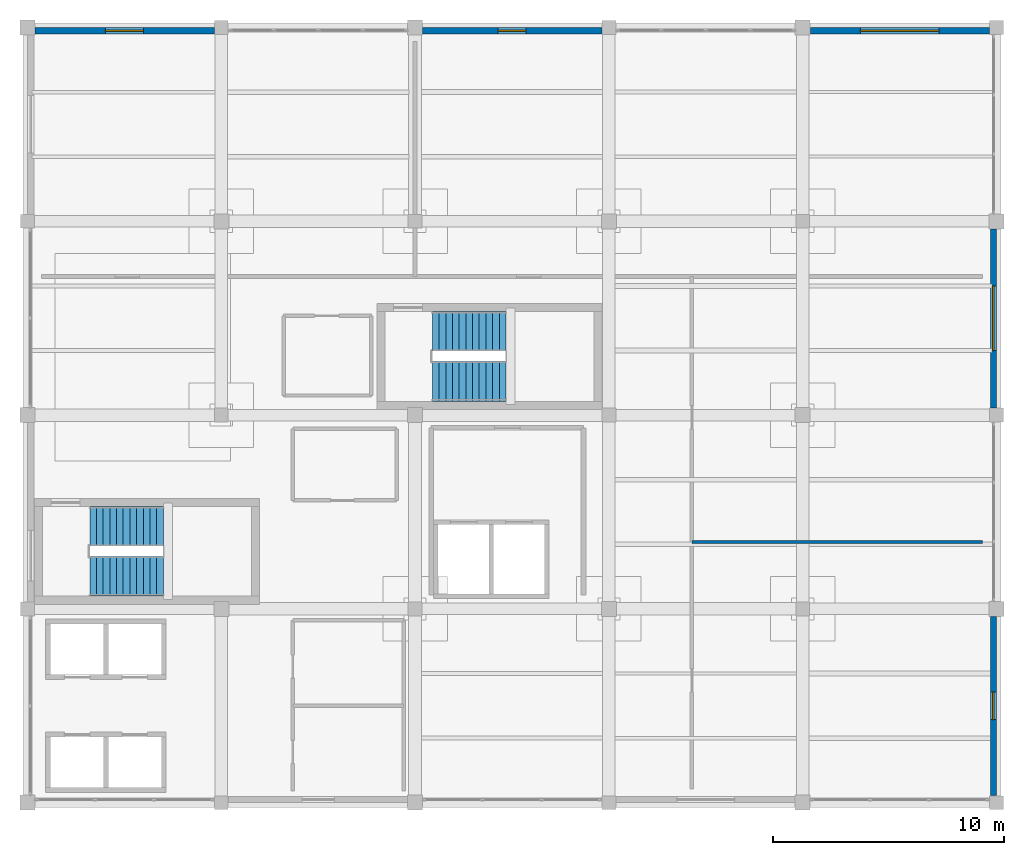
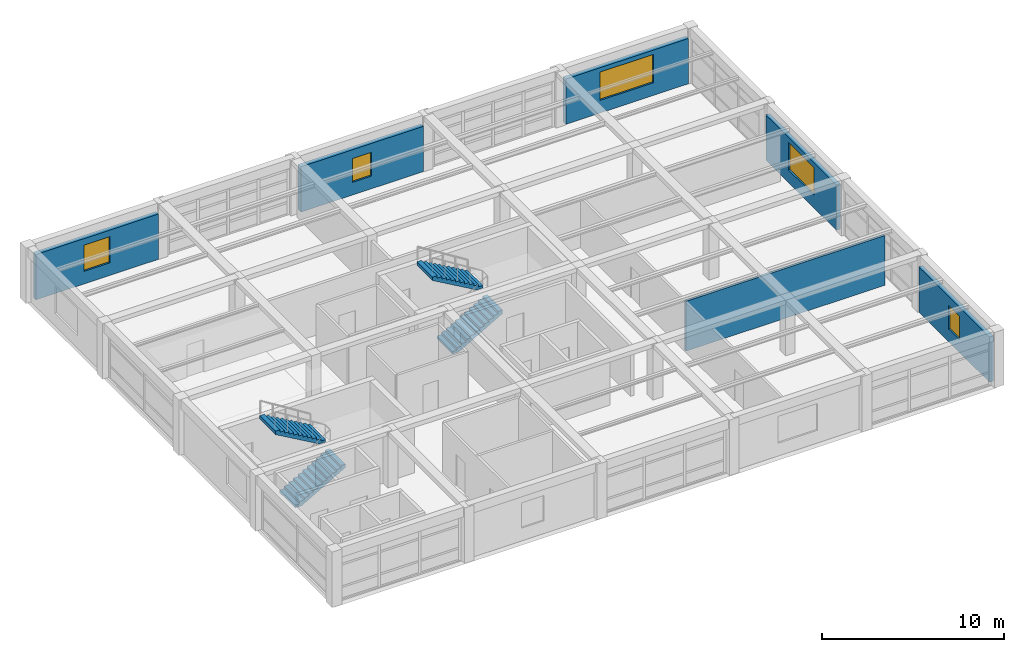
# One storey, part 24 of 25: 6 walls, 5 windows, 4 stair flights, 5 openings, 2 elements without a shape of their own.
"""IFC4 building model written with IfcOpenShell, lengths in metres."""

from ifc_helpers import new_model, si_unit, direction, frame, frame_2d, origin, place, context, subcontext, project, spatial, polyline, rectangle, outline, extrude, material, layer, layer_set, type_object, element, fill, aggregate, save


model = new_model("IFC4")

# Units and contexts
model_context = context("Model", 3, precision=1e-05, world=origin(), true_north=direction((0.0, 1.0)))
body_context = subcontext(model_context, "Body", "Model", "MODEL_VIEW")
ifc_project = project(units=[si_unit("LENGTHUNIT", "METRE"), si_unit("AREAUNIT", "SQUARE_METRE"), si_unit("VOLUMEUNIT", "CUBIC_METRE"), si_unit("PLANEANGLEUNIT", "RADIAN"), si_unit("MASSUNIT", "GRAM", prefix="KILO")], contexts=[model_context])

# Site, building, storey
site_placement = place(None, origin())
site = spatial("IfcSite", under=ifc_project, at=site_placement, CompositionType="ELEMENT")
building_placement = place(site_placement, origin())
building = spatial("IfcBuilding", under=site, at=building_placement, Name="Almacenes y Pasaje Nevantli", CompositionType="ELEMENT")
storey_placement = place(building_placement, frame((0.0, 0.0, 50.699951171875)))
storey = spatial("IfcBuildingStorey", under=building, at=storey_placement, Name="L12", CompositionType="ELEMENT", Elevation=50.699951171875)

# Wall, opening, window
ifc_material_1 = material(Name="Architectural Precast Concrete C35/45 Spandrel Wall", Category="concrete")
ifc_layer_1 = layer(ifc_material_1, 0.280029296875)
ifc_layer_set_1 = layer_set([ifc_layer_1], Name="Architectural Precast Concrete C35/45 Spandrel Wall")
wall_type_1 = type_object("IfcWallType", Name="WL-EXT-CANTERA-280", PredefinedType="SOLIDWALL", material=ifc_layer_set_1)
wall_1_placement = place(storey_placement, frame((117.927978515625, 100.659912109375, 0.0), z_axis=(0.0, 0.0, 1.0), x_axis=(1.0, 0.0, 0.0)))
wall_1 = element("IfcWall", 1, at=wall_1_placement, inside=storey, type_object=wall_type_1, Name="L12 Tower North Polychrome Cantera Wall Bay 15", PredefinedType="SOLIDWALL", context=body_context, shape_type="SweptSolid", body=[
    extrude(rectangle(XDim=7.76806640625, YDim=0.280029296875, at=frame_2d((3.884033203125, 0.0))), origin(), (0.0, 0.0, 1.0), 3.0400390625),
])
opening_1_placement = place(wall_1_placement, frame((3.047119140625, 0.0, 0.85009765625)))
opening_1 = element("IfcOpeningElement", 2, at=opening_1_placement, cuts=wall_1, Name="Opening WT-33-250", PredefinedType="OPENING", context=body_context, shape_type="SweptSolid", body=[
    extrude(rectangle(XDim=1.64990234375, YDim=1.75, at=frame_2d((0.824951171875, 0.875))), frame((0.0, 0.14990234375, 0.0), z_axis=(0.0, -1.0, 0.0), x_axis=(1.0, 0.0, 0.0)), (0.0, 0.0, 1.0), 0.300048828125),
])
ifc_material_2 = material(Name="Thermally Broken Aluminium and Low-E Double Glazing", Category="aluminium")
window_type_1 = type_object("IfcWindowType", Name="WN-TWR-1650x1750", PartitioningType="SINGLE_PANEL", PredefinedType="WINDOW", material=ifc_material_2)
window_1_placement = place(opening_1_placement, origin())
window_1 = element("IfcWindow", 3, at=window_1_placement, inside=storey, type_object=window_type_1, Name="L12 Exterior Window WT-33 #250", OverallHeight=1.75, OverallWidth=1.64990234375, PartitioningType="SINGLE_PANEL", PredefinedType="WINDOW", context=body_context, shape_type="SweptSolid", body=[
    extrude(rectangle(XDim=1.64990234375, YDim=1.75, at=frame_2d((0.824951171875, 0.875))), frame((0.0, 0.030029296875, 0.0), z_axis=(0.0, -1.0, 0.0), x_axis=(1.0, 0.0, 0.0)), (0.0, 0.0, 1.0), 0.06005859375),
])
fill(opening_1, window_1)

wall_2_placement = place(storey_placement, frame((134.72802734375, 100.659912109375, 0.0), z_axis=(0.0, 0.0, 1.0), x_axis=(1.0, 0.0, 0.0)))
wall_2 = element("IfcWall", 4, at=wall_2_placement, inside=storey, type_object=wall_type_1, Name="L12 Tower North Polychrome Cantera Wall Bay 17", PredefinedType="SOLIDWALL", context=body_context, shape_type="SweptSolid", body=[
    extrude(rectangle(XDim=7.77001953125, YDim=0.280029296875, at=frame_2d((3.885009765625, 0.0))), origin(), (0.0, 0.0, 1.0), 3.0400390625),
])
opening_2_placement = place(wall_2_placement, frame((3.27197265625, 0.0, 0.85009765625)))
opening_2 = element("IfcOpeningElement", 5, at=opening_2_placement, cuts=wall_2, Name="Opening WT-35-252", PredefinedType="OPENING", context=body_context, shape_type="SweptSolid", body=[
    extrude(rectangle(XDim=1.199951171875, YDim=1.60009765625, at=frame_2d((0.60009765625, 0.800048828125))), frame((0.0, 0.14990234375, 0.0), z_axis=(0.0, -1.0, 0.0), x_axis=(1.0, 0.0, 0.0)), (0.0, 0.0, 1.0), 0.300048828125),
])
ifc_material_3 = material(Name="Thermally Broken Aluminium and Low-E Double Glazing", Category="aluminium")
window_type_2 = type_object("IfcWindowType", Name="WN-TWR-1200x1600", PartitioningType="SINGLE_PANEL", PredefinedType="WINDOW", material=ifc_material_3)
window_2_placement = place(opening_2_placement, origin())
window_2 = element("IfcWindow", 6, at=window_2_placement, inside=storey, type_object=window_type_2, Name="L12 Exterior Window WT-35 #252", OverallHeight=1.60009765625, OverallWidth=1.199951171875, PartitioningType="SINGLE_PANEL", PredefinedType="WINDOW", context=body_context, shape_type="SweptSolid", body=[
    extrude(rectangle(XDim=1.199951171875, YDim=1.60009765625, at=frame_2d((0.60009765625, 0.800048828125))), frame((0.0, 0.030029296875, 0.0), z_axis=(0.0, -1.0, 0.0), x_axis=(1.0, 0.0, 0.0)), (0.0, 0.0, 1.0), 0.06005859375),
])
fill(opening_2, window_2)

wall_3_placement = place(storey_placement, frame((151.528076171875, 100.659912109375, 0.0), z_axis=(0.0, 0.0, 1.0), x_axis=(1.0, 0.0, 0.0)))
wall_3 = element("IfcWall", 7, at=wall_3_placement, inside=storey, type_object=wall_type_1, Name="L12 Tower North Polychrome Cantera Wall Bay 19", PredefinedType="SOLIDWALL", context=body_context, shape_type="SweptSolid", body=[
    extrude(rectangle(XDim=7.767822265625, YDim=0.280029296875, at=frame_2d((3.8837890625, 0.0))), origin(), (0.0, 0.0, 1.0), 3.0400390625),
])
opening_3_placement = place(wall_3_placement, frame((2.172119140625, 0.0, 0.85009765625)))
opening_3 = element("IfcOpeningElement", 8, at=opening_3_placement, cuts=wall_3, Name="Opening WT-27-254", PredefinedType="OPENING", context=body_context, shape_type="SweptSolid", body=[
    extrude(rectangle(XDim=3.39990234375, YDim=1.89990234375, at=frame_2d((1.699951171875, 0.949951171875))), frame((0.0, 0.14990234375, 0.0), z_axis=(0.0, -1.0, 0.0), x_axis=(1.0, 0.0, 0.0)), (0.0, 0.0, 1.0), 0.300048828125),
])
ifc_material_4 = material(Name="Thermally Broken Aluminium and Low-E Double Glazing", Category="aluminium")
window_type_3 = type_object("IfcWindowType", Name="WN-TWR-3400x1900", PartitioningType="SINGLE_PANEL", PredefinedType="WINDOW", material=ifc_material_4)
window_3_placement = place(opening_3_placement, origin())
window_3 = element("IfcWindow", 9, at=window_3_placement, inside=storey, type_object=window_type_3, Name="L12 Exterior Window WT-27 #254", OverallHeight=1.89990234375, OverallWidth=3.39990234375, PartitioningType="SINGLE_PANEL", PredefinedType="WINDOW", context=body_context, shape_type="SweptSolid", body=[
    extrude(rectangle(XDim=3.39990234375, YDim=1.89990234375, at=frame_2d((1.699951171875, 0.949951171875))), frame((0.0, 0.030029296875, 0.0), z_axis=(0.0, -1.0, 0.0), x_axis=(1.0, 0.0, 0.0)), (0.0, 0.0, 1.0), 0.06005859375),
])
fill(opening_3, window_3)

ifc_material_5 = material(Name="Cream Architectural Precast Concrete C35/45 Wall", Category="concrete")
ifc_layer_2 = layer(ifc_material_5, 0.260009765625)
ifc_layer_set_2 = layer_set([ifc_layer_2], Name="Cream Architectural Precast Concrete C35/45 Wall")
wall_type_2 = type_object("IfcWallType", Name="WL-EXT-PRECAST-260", PredefinedType="SOLIDWALL", material=ifc_layer_set_2)
wall_4_placement = place(storey_placement, frame((159.4599609375, 67.50390625, 0.0), z_axis=(0.0, 0.0, 1.0), x_axis=(0.0, 1.0, 0.0)))
wall_4 = element("IfcWall", 10, at=wall_4_placement, inside=storey, type_object=wall_type_2, Name="L12 Tower East Precast Wall Bay 9", PredefinedType="SOLIDWALL", context=body_context, shape_type="SweptSolid", body=[
    extrude(rectangle(XDim=7.76806640625, YDim=0.260009765625, at=frame_2d((3.884033203125, 0.0))), origin(), (0.0, 0.0, 1.0), 3.0400390625),
])
opening_4_placement = place(wall_4_placement, frame((3.2958984375, 0.0, 0.85009765625)))
opening_4 = element("IfcOpeningElement", 11, at=opening_4_placement, cuts=wall_4, Name="Opening WT-35-255", PredefinedType="OPENING", context=body_context, shape_type="SweptSolid", body=[
    extrude(rectangle(XDim=1.199951171875, YDim=1.60009765625, at=frame_2d((0.60009765625, 0.800048828125))), frame((0.0, 0.139892578125, 0.0), z_axis=(0.0, -1.0, 0.0), x_axis=(1.0, 0.0, 0.0)), (0.0, 0.0, 1.0), 0.280029296875),
])
window_4_placement = place(opening_4_placement, origin())
window_4 = element("IfcWindow", 12, at=window_4_placement, inside=storey, type_object=window_type_2, Name="L12 Exterior Window WT-35 #255", OverallHeight=1.60009765625, OverallWidth=1.199951171875, PartitioningType="SINGLE_PANEL", PredefinedType="WINDOW", context=body_context, shape_type="SweptSolid", body=[
    extrude(rectangle(XDim=1.199951171875, YDim=1.60009765625, at=frame_2d((0.60009765625, 0.800048828125))), frame((0.0, 0.030029296875, 0.0), z_axis=(0.0, -1.0, 0.0), x_axis=(1.0, 0.0, 0.0)), (0.0, 0.0, 1.0), 0.06005859375),
])
fill(opening_4, window_4)

wall_5_placement = place(storey_placement, frame((159.4599609375, 84.303955078125, 0.0), z_axis=(0.0, 0.0, 1.0), x_axis=(0.0, 1.0, 0.0)))
wall_5 = element("IfcWall", 13, at=wall_5_placement, inside=storey, type_object=wall_type_2, Name="L12 Tower East Precast Wall Bay 11", PredefinedType="SOLIDWALL", context=body_context, shape_type="SweptSolid", body=[
    extrude(rectangle(XDim=7.76806640625, YDim=0.260009765625, at=frame_2d((3.884033203125, 0.0))), origin(), (0.0, 0.0, 1.0), 3.0400390625),
])
opening_5_placement = place(wall_5_placement, frame((2.49609375, 0.0, 0.85009765625)))
opening_5 = element("IfcOpeningElement", 14, at=opening_5_placement, cuts=wall_5, Name="Opening WT-29-257", PredefinedType="OPENING", context=body_context, shape_type="SweptSolid", body=[
    extrude(rectangle(XDim=2.800048828125, YDim=1.85009765625, at=frame_2d((1.39990234375, 0.925048828125))), frame((0.0, 0.139892578125, 0.0), z_axis=(0.0, -1.0, 0.0), x_axis=(1.0, 0.0, 0.0)), (0.0, 0.0, 1.0), 0.280029296875),
])
ifc_material_6 = material(Name="Thermally Broken Aluminium and Low-E Double Glazing", Category="aluminium")
window_type_4 = type_object("IfcWindowType", Name="WN-TWR-2800x1850", PartitioningType="SINGLE_PANEL", PredefinedType="WINDOW", material=ifc_material_6)
window_5_placement = place(opening_5_placement, origin())
window_5 = element("IfcWindow", 15, at=window_5_placement, inside=storey, type_object=window_type_4, Name="L12 Exterior Window WT-29 #257", OverallHeight=1.85009765625, OverallWidth=2.800048828125, PartitioningType="SINGLE_PANEL", PredefinedType="WINDOW", context=body_context, shape_type="SweptSolid", body=[
    extrude(rectangle(XDim=2.800048828125, YDim=1.85009765625, at=frame_2d((1.39990234375, 0.925048828125))), frame((0.0, 0.030029296875, 0.0), z_axis=(0.0, -1.0, 0.0), x_axis=(1.0, 0.0, 0.0)), (0.0, 0.0, 1.0), 0.06005859375),
])
fill(opening_5, window_5)

# Wall
ifc_material_7 = material(Name="Acoustic Steel-Stud Gypsum Partition", Category="steel")
ifc_layer_3 = layer(ifc_material_7, 0.14990234375)
ifc_layer_set_3 = layer_set([ifc_layer_3], Name="Acoustic Steel-Stud Gypsum Partition")
wall_type_3 = type_object("IfcWallType", Name="WL-PART-150", PredefinedType="PARTITIONING", material=ifc_layer_set_3)
wall_6_placement = place(storey_placement, frame((146.39990234375, 78.5, 0.0), z_axis=(0.0, 0.0, 1.0), x_axis=(1.0, 0.0, 0.0)))
element("IfcWall", 16, at=wall_6_placement, inside=storey, type_object=wall_type_3, Name="L12 Interior Partition Wall IW-150 #220", PredefinedType="PARTITIONING", context=body_context, shape_type="SweptSolid", body=[
    extrude(rectangle(XDim=12.60009765625, YDim=0.14990234375, at=frame_2d((6.300048828125, 0.0))), origin(), (0.0, 0.0, 1.0), 3.340087890625),
])

# Stair, stair flights
ifc_material_8 = material(Name="Concrete C35/45", Category="concrete")
stair_type = type_object("IfcStairType", Name="STR-CORE-1720", PredefinedType="HALF_TURN_STAIR", material=ifc_material_8)
stair_1_placement = place(storey_placement, origin())
stair_1 = element("IfcStair", 17, at=stair_1_placement, inside=storey, type_object=stair_type, Name="L12 Staircase ST-01", PredefinedType="HALF_TURN_STAIR")
ifc_material_9 = material(Name="Concrete C35/45", Category="concrete")
ifc_layer_4 = layer(ifc_material_9, 0.199951171875)
ifc_layer_set_4 = layer_set([ifc_layer_4], Name="Concrete C35/45")
stair_flight_type = type_object("IfcStairFlightType", Name="SFL-RC-200", PredefinedType="STRAIGHT", material=ifc_layer_set_4)
stair_flight_1_placement = place(storey_placement, frame((120.300048828125, 77.010009765625, 0.0), z_axis=(0.0, 0.0, 1.0), x_axis=(1.0, 0.0, 0.0)))
stair_flight_1 = element("IfcStairFlight", 18, at=stair_flight_1_placement, type_object=stair_flight_type, Name="ST-01-L12 flight 1", NumberOfRisers=12, NumberOfTreads=11, PredefinedType="STRAIGHT", RiserHeight=0.166667, TreadLength=0.29, context=body_context, shape_type="SweptSolid", body=[
    extrude(outline(polyline([(0.0, 0.0), (0.0, 0.166748046875), (0.2900390625, 0.166748046875), (0.2900390625, 0.333251953125), (0.580078125, 0.333251953125), (0.580078125, 0.5), (0.8701171875, 0.5), (0.8701171875, 0.666748046875), (1.159912109375, 0.666748046875), (1.159912109375, 0.833251953125), (1.449951171875, 0.833251953125), (1.449951171875, 1.0), (1.739990234375, 1.0), (1.739990234375, 1.166748046875), (2.030029296875, 1.166748046875), (2.030029296875, 1.333251953125), (2.320068359375, 1.333251953125), (2.320068359375, 1.5), (2.610107421875, 1.5), (2.610107421875, 1.666748046875), (2.89990234375, 1.666748046875), (2.89990234375, 1.833251953125), (3.18994140625, 1.833251953125), (3.18994140625, 2.0), (3.18994140625, 1.602783203125), (0.4013671875, 0.0), (0.0, 0.0)])), frame((0.0, 0.85986328125, 0.0), z_axis=(0.0, -1.0, 0.0), x_axis=(1.0, 0.0, 0.0)), (0.0, 0.0, 1.0), 1.719970703125),
])
stair_flight_2_placement = place(storey_placement, frame((123.489990234375, 79.179931640625, 2.0), z_axis=(0.0, 0.0, 1.0), x_axis=(-1.0, 0.0, 0.0)))
stair_flight_2 = element("IfcStairFlight", 19, at=stair_flight_2_placement, type_object=stair_flight_type, Name="ST-01-L12 flight 2", NumberOfRisers=12, NumberOfTreads=11, PredefinedType="STRAIGHT", RiserHeight=0.166667, TreadLength=0.29, context=body_context, shape_type="SweptSolid", body=[
    extrude(outline(polyline([(0.0, 0.0), (0.0, 0.166748046875), (0.2900390625, 0.166748046875), (0.2900390625, 0.333251953125), (0.580078125, 0.333251953125), (0.580078125, 0.5), (0.8701171875, 0.5), (0.8701171875, 0.666748046875), (1.159912109375, 0.666748046875), (1.159912109375, 0.833251953125), (1.449951171875, 0.833251953125), (1.449951171875, 1.0), (1.739990234375, 1.0), (1.739990234375, 1.166748046875), (2.030029296875, 1.166748046875), (2.030029296875, 1.333251953125), (2.320068359375, 1.333251953125), (2.320068359375, 1.5), (2.610107421875, 1.5), (2.610107421875, 1.666748046875), (2.89990234375, 1.666748046875), (2.89990234375, 1.833251953125), (3.18994140625, 1.833251953125), (3.18994140625, 2.0), (3.18994140625, 1.602783203125), (0.4013671875, 0.0), (0.0, 0.0)])), frame((0.0, 0.85986328125, 0.0), z_axis=(0.0, -1.0, 0.0), x_axis=(1.0, 0.0, 0.0)), (0.0, 0.0, 1.0), 1.719970703125),
])
aggregate(stair_1, [stair_flight_1, stair_flight_2])

stair_2_placement = place(storey_placement, origin())
stair_2 = element("IfcStair", 20, at=stair_2_placement, inside=storey, type_object=stair_type, Name="L12 Staircase ST-02", PredefinedType="HALF_TURN_STAIR")
stair_flight_3_placement = place(storey_placement, frame((135.14990234375, 85.4599609375, 0.0), z_axis=(0.0, 0.0, 1.0), x_axis=(1.0, 0.0, 0.0)))
stair_flight_3 = element("IfcStairFlight", 21, at=stair_flight_3_placement, type_object=stair_flight_type, Name="ST-02-L12 flight 1", NumberOfRisers=12, NumberOfTreads=11, PredefinedType="STRAIGHT", RiserHeight=0.166667, TreadLength=0.29, context=body_context, shape_type="SweptSolid", body=[
    extrude(outline(polyline([(0.0, 0.0), (0.0, 0.166748046875), (0.2900390625, 0.166748046875), (0.2900390625, 0.333251953125), (0.580078125, 0.333251953125), (0.580078125, 0.5), (0.8701171875, 0.5), (0.8701171875, 0.666748046875), (1.159912109375, 0.666748046875), (1.159912109375, 0.833251953125), (1.449951171875, 0.833251953125), (1.449951171875, 1.0), (1.739990234375, 1.0), (1.739990234375, 1.166748046875), (2.030029296875, 1.166748046875), (2.030029296875, 1.333251953125), (2.320068359375, 1.333251953125), (2.320068359375, 1.5), (2.610107421875, 1.5), (2.610107421875, 1.666748046875), (2.89990234375, 1.666748046875), (2.89990234375, 1.833251953125), (3.18994140625, 1.833251953125), (3.18994140625, 2.0), (3.18994140625, 1.602783203125), (0.4013671875, 0.0), (0.0, 0.0)])), frame((0.0, 0.85986328125, 0.0), z_axis=(0.0, -1.0, 0.0), x_axis=(1.0, 0.0, 0.0)), (0.0, 0.0, 1.0), 1.719970703125),
])
stair_flight_4_placement = place(storey_placement, frame((138.340087890625, 87.6298828125, 2.0), z_axis=(0.0, 0.0, 1.0), x_axis=(-1.0, 0.0, 0.0)))
stair_flight_4 = element("IfcStairFlight", 22, at=stair_flight_4_placement, type_object=stair_flight_type, Name="ST-02-L12 flight 2", NumberOfRisers=12, NumberOfTreads=11, PredefinedType="STRAIGHT", RiserHeight=0.166667, TreadLength=0.29, context=body_context, shape_type="SweptSolid", body=[
    extrude(outline(polyline([(0.0, 0.0), (0.0, 0.166748046875), (0.2900390625, 0.166748046875), (0.2900390625, 0.333251953125), (0.580078125, 0.333251953125), (0.580078125, 0.5), (0.8701171875, 0.5), (0.8701171875, 0.666748046875), (1.159912109375, 0.666748046875), (1.159912109375, 0.833251953125), (1.449951171875, 0.833251953125), (1.449951171875, 1.0), (1.739990234375, 1.0), (1.739990234375, 1.166748046875), (2.030029296875, 1.166748046875), (2.030029296875, 1.333251953125), (2.320068359375, 1.333251953125), (2.320068359375, 1.5), (2.610107421875, 1.5), (2.610107421875, 1.666748046875), (2.89990234375, 1.666748046875), (2.89990234375, 1.833251953125), (3.18994140625, 1.833251953125), (3.18994140625, 2.0), (3.18994140625, 1.602783203125), (0.4013671875, 0.0), (0.0, 0.0)])), frame((0.0, 0.85986328125, 0.0), z_axis=(0.0, -1.0, 0.0), x_axis=(1.0, 0.0, 0.0)), (0.0, 0.0, 1.0), 1.719970703125),
])
aggregate(stair_2, [stair_flight_3, stair_flight_4])

save(model, "model.ifc")
